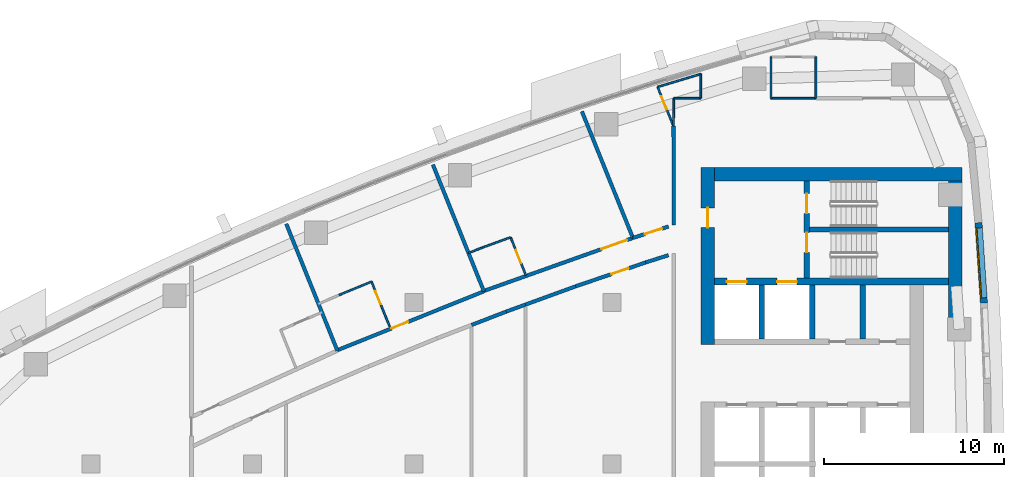
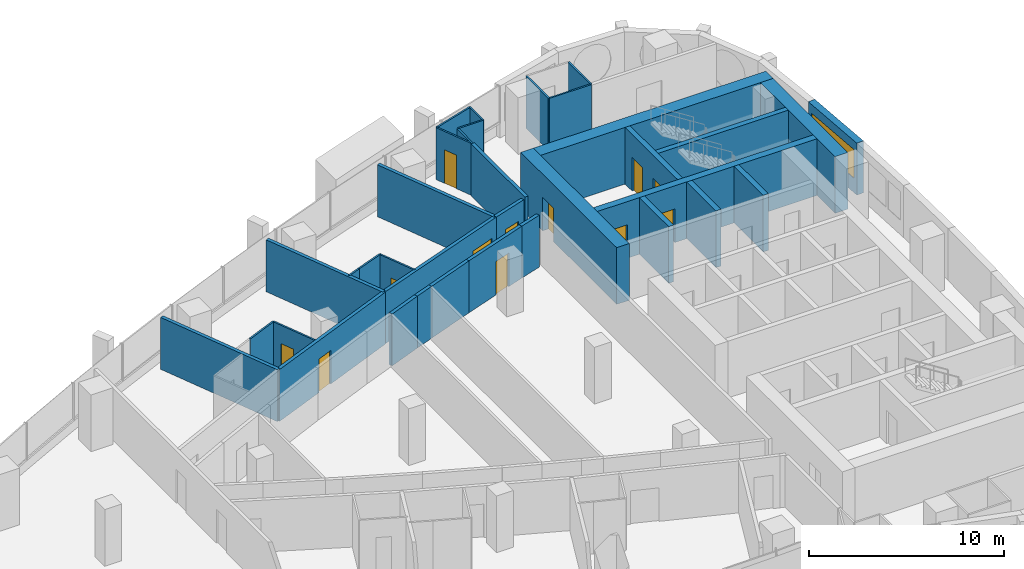
# One storey, part 12 of 17: 35 walls, 12 doors, 1 window, 13 openings.
"""IFC4 building model written with IfcOpenShell, lengths in metres."""

from ifc_helpers import new_model, si_unit, direction, frame, frame_2d, origin, place, context, subcontext, project, spatial, polyline, rectangle, outline, extrude, material, layer, layer_set, type_object, element, fill, save


model = new_model("IFC4")

# Units and contexts
model_context = context("Model", 3, precision=1e-05, world=origin(), true_north=direction((0.0, 1.0)))
body_context = subcontext(model_context, "Body", "Model", "MODEL_VIEW")
ifc_project = project(units=[si_unit("LENGTHUNIT", "METRE"), si_unit("AREAUNIT", "SQUARE_METRE"), si_unit("VOLUMEUNIT", "CUBIC_METRE"), si_unit("PLANEANGLEUNIT", "RADIAN"), si_unit("MASSUNIT", "GRAM", prefix="KILO")], contexts=[model_context])

# Site, building, storey
site_placement = place(None, origin())
site = spatial("IfcSite", under=ifc_project, at=site_placement, CompositionType="ELEMENT")
building_placement = place(site_placement, origin())
building = spatial("IfcBuilding", under=site, at=building_placement, Name="Ostrand Prow Hotel Tower", CompositionType="ELEMENT")
storey_placement = place(building_placement, frame((0.0, 0.0, 196.800048828125)))
storey = spatial("IfcBuildingStorey", under=building, at=storey_placement, Name="L49", CompositionType="ELEMENT", Elevation=196.800048828125)

# Walls
ifc_material_1 = material(Name="Concrete C60/75", Category="concrete")
ifc_layer_1 = layer(ifc_material_1, 0.300048828125)
ifc_layer_set_1 = layer_set([ifc_layer_1], Name="Concrete C60/75")
wall_type_1 = type_object("IfcWallType", Name="Core wall 300 C60/75", PredefinedType="SHEAR", material=ifc_layer_set_1)
for number, where, z_axis, x_axis, name in (
    (1, (53.35009765625, 6.949951171875, 0.0), (0.0, 0.0, 1.0), (0.0, 1.0, 0.0), "Core wall PW-R1-NA"),
    (2, (56.14990234375, 6.949951171875, 0.0), (0.0, 0.0, 1.0), (0.0, 1.0, 0.0), "Core wall PW-R2-NA"),
    (3, (58.949951171875, 6.949951171875, 0.0), (0.0, 0.0, 1.0), (0.0, 1.0, 0.0), "Core wall PW-R3-NA"),
):
    element("IfcWall", number, at=place(storey_placement, frame(where, z_axis=z_axis, x_axis=x_axis)), inside=storey, type_object=wall_type_1, Name=name, PredefinedType="SHEAR", context=body_context, shape_type="SweptSolid", body=[
        extrude(rectangle(XDim=3.0, YDim=0.300048828125, at=frame_2d((1.5, 0.0))), origin(), (0.0, 0.0, 1.0), 3.550048828125),
    ])

# Wall, openings, doors
wall_1_placement = place(storey_placement, frame((55.85009765625, 10.35009765625, 0.0), z_axis=(0.0, 0.0, 1.0), x_axis=(0.0, 1.0, 0.0)))
wall_1 = element("IfcWall", 4, at=wall_1_placement, inside=storey, type_object=wall_type_1, Name="Core wall PW-VN", PredefinedType="SHEAR", context=body_context, shape_type="SweptSolid", body=[
    extrude(rectangle(XDim=5.39990234375, YDim=0.300048828125, at=frame_2d((2.699951171875, 0.0))), origin(), (0.0, 0.0, 1.0), 3.550048828125),
])
opening_1_placement = place(wall_1_placement, frame((1.429931640625, 0.0, 0.0)))
opening_1 = element("IfcOpeningElement", 5, at=opening_1_placement, cuts=wall_1, Name="Opening FD1", PredefinedType="OPENING", context=body_context, shape_type="SweptSolid", body=[
    extrude(rectangle(XDim=1.10009765625, YDim=2.10009765625, at=frame_2d((0.550048828125, 1.050048828125))), frame((0.0, 0.159912109375, 0.0), z_axis=(0.0, -1.0, 0.0), x_axis=(1.0, 0.0, 0.0)), (0.0, 0.0, 1.0), 0.320068359375),
])
opening_2_placement = place(wall_1_placement, frame((3.60009765625, 0.0, 0.0)))
opening_2 = element("IfcOpeningElement", 6, at=opening_2_placement, cuts=wall_1, Name="Opening FD1", PredefinedType="OPENING", context=body_context, shape_type="SweptSolid", body=[
    extrude(rectangle(XDim=1.10009765625, YDim=2.10009765625, at=frame_2d((0.550048828125, 1.050048828125))), frame((0.0, 0.159912109375, 0.0), z_axis=(0.0, -1.0, 0.0), x_axis=(1.0, 0.0, 0.0)), (0.0, 0.0, 1.0), 0.320068359375),
])
ifc_material_2 = material(Name="Steel fire door", Category="steel")
door_type_1 = type_object("IfcDoorType", Name="Fire door 1100 EI120", OperationType="SINGLE_SWING_RIGHT", PredefinedType="DOOR", material=ifc_material_2)
door_1_placement = place(opening_1_placement, origin())
door_1 = element("IfcDoor", 7, at=door_1_placement, inside=storey, type_object=door_type_1, Name="FIRE DOOR", OperationType="SINGLE_SWING_RIGHT", OverallHeight=2.10009765625, OverallWidth=1.10009765625, PredefinedType="DOOR", context=body_context, shape_type="SweptSolid", body=[
    extrude(rectangle(XDim=1.10009765625, YDim=2.10009765625, at=frame_2d((0.550048828125, 1.050048828125))), frame((0.0, 0.02490234375, 0.0), z_axis=(0.0, -1.0, 0.0), x_axis=(1.0, 0.0, 0.0)), (0.0, 0.0, 1.0), 0.050048828125),
])
fill(opening_1, door_1)
door_2_placement = place(opening_2_placement, origin())
door_2 = element("IfcDoor", 8, at=door_2_placement, inside=storey, type_object=door_type_1, Name="FIRE DOOR", OperationType="SINGLE_SWING_RIGHT", OverallHeight=2.10009765625, OverallWidth=1.10009765625, PredefinedType="DOOR", context=body_context, shape_type="SweptSolid", body=[
    extrude(rectangle(XDim=1.10009765625, YDim=2.10009765625, at=frame_2d((0.550048828125, 1.050048828125))), frame((0.0, 0.02490234375, 0.0), z_axis=(0.0, -1.0, 0.0), x_axis=(1.0, 0.0, 0.0)), (0.0, 0.0, 1.0), 0.050048828125),
])
fill(opening_2, door_2)

# Wall
wall_2_placement = place(storey_placement, frame((56.0, 13.050048828125, 0.0), z_axis=(0.0, 0.0, 1.0), x_axis=(1.0, 0.0, 0.0)))
element("IfcWall", 9, at=wall_2_placement, inside=storey, type_object=wall_type_1, Name="Core wall PW-ST13", PredefinedType="SHEAR", context=body_context, shape_type="SweptSolid", body=[
    extrude(rectangle(XDim=7.719970703125, YDim=0.300048828125, at=frame_2d((3.85986328125, 0.0))), origin(), (0.0, 0.0, 1.0), 3.550048828125),
])

# Wall, openings, doors
ifc_material_3 = material(Name="Concrete C60/75", Category="concrete")
ifc_layer_2 = layer(ifc_material_3, 0.39990234375)
ifc_layer_set_2 = layer_set([ifc_layer_2], Name="Concrete C60/75")
wall_type_2 = type_object("IfcWallType", Name="Core wall 400 C60/75", PredefinedType="SHEAR", material=ifc_layer_set_2)
wall_3_placement = place(storey_placement, frame((50.699951171875, 10.14990234375, 0.0), z_axis=(0.0, 0.0, 1.0), x_axis=(1.0, 0.0, 0.0)))
wall_3 = element("IfcWall", 10, at=wall_3_placement, inside=storey, type_object=wall_type_2, Name="Core wall PW-BN", PredefinedType="SHEAR", context=body_context, shape_type="SweptSolid", body=[
    extrude(rectangle(XDim=13.02001953125, YDim=0.39990234375, at=frame_2d((6.510009765625, 0.0))), origin(), (0.0, 0.0, 1.0), 3.550048828125),
])
opening_3_placement = place(wall_3_placement, frame((0.699951171875, 0.0, 0.0)))
opening_3 = element("IfcOpeningElement", 11, at=opening_3_placement, cuts=wall_3, Name="Opening LD", PredefinedType="OPENING", context=body_context, shape_type="SweptSolid", body=[
    extrude(rectangle(XDim=1.10009765625, YDim=2.10009765625, at=frame_2d((0.550048828125, 1.050048828125))), frame((0.0, 0.2099609375, 0.0), z_axis=(0.0, -1.0, 0.0), x_axis=(1.0, 0.0, 0.0)), (0.0, 0.0, 1.0), 0.419921875),
])
opening_4_placement = place(wall_3_placement, frame((3.5, 0.0, 0.0)))
opening_4 = element("IfcOpeningElement", 12, at=opening_4_placement, cuts=wall_3, Name="Opening LD", PredefinedType="OPENING", context=body_context, shape_type="SweptSolid", body=[
    extrude(rectangle(XDim=1.10009765625, YDim=2.10009765625, at=frame_2d((0.550048828125, 1.050048828125))), frame((0.0, 0.2099609375, 0.0), z_axis=(0.0, -1.0, 0.0), x_axis=(1.0, 0.0, 0.0)), (0.0, 0.0, 1.0), 0.419921875),
])
ifc_material_4 = material(Name="Stainless steel door", Category="steel")
door_type_2 = type_object("IfcDoorType", Name="Lift landing door 1100", OperationType="DOUBLE_DOOR_SLIDING", PredefinedType="DOOR", material=ifc_material_4)
door_3_placement = place(opening_3_placement, origin())
door_3 = element("IfcDoor", 13, at=door_3_placement, inside=storey, type_object=door_type_2, Name="LIFT LANDING DOOR", OperationType="DOUBLE_DOOR_SLIDING", OverallHeight=2.10009765625, OverallWidth=1.10009765625, PredefinedType="DOOR", context=body_context, shape_type="SweptSolid", body=[
    extrude(rectangle(XDim=1.10009765625, YDim=2.10009765625, at=frame_2d((0.550048828125, 1.050048828125))), frame((0.0, 0.02490234375, 0.0), z_axis=(0.0, -1.0, 0.0), x_axis=(1.0, 0.0, 0.0)), (0.0, 0.0, 1.0), 0.050048828125),
])
fill(opening_3, door_3)
door_4_placement = place(opening_4_placement, origin())
door_4 = element("IfcDoor", 14, at=door_4_placement, inside=storey, type_object=door_type_2, Name="LIFT LANDING DOOR", OperationType="DOUBLE_DOOR_SLIDING", OverallHeight=2.10009765625, OverallWidth=1.10009765625, PredefinedType="DOOR", context=body_context, shape_type="SweptSolid", body=[
    extrude(rectangle(XDim=1.10009765625, YDim=2.10009765625, at=frame_2d((0.550048828125, 1.050048828125))), frame((0.0, 0.02490234375, 0.0), z_axis=(0.0, -1.0, 0.0), x_axis=(1.0, 0.0, 0.0)), (0.0, 0.0, 1.0), 0.050048828125),
])
fill(opening_4, door_4)

# Wall, opening, door
ifc_material_5 = material(Name="Concrete C60/75", Category="concrete")
ifc_layer_3 = layer(ifc_material_5, 0.75)
ifc_layer_set_3 = layer_set([ifc_layer_3], Name="Concrete C60/75")
wall_type_3 = type_object("IfcWallType", Name="Core wall 750 C60/75", PredefinedType="SHEAR", material=ifc_layer_set_3)
wall_4_placement = place(storey_placement, frame((50.324951171875, 6.64990234375, 0.0), z_axis=(0.0, 0.0, 1.0), x_axis=(0.0, 1.0, 0.0)))
wall_4 = element("IfcWall", 15, at=wall_4_placement, inside=storey, type_object=wall_type_3, Name="Core wall CW-W-N", PredefinedType="SHEAR", context=body_context, shape_type="SweptSolid", body=[
    extrude(rectangle(XDim=9.85009765625, YDim=0.75, at=frame_2d((4.925048828125, 0.0))), origin(), (0.0, 0.0, 1.0), 3.550048828125),
])
opening_5_placement = place(wall_4_placement, frame((6.5, 0.0, 0.0)))
opening_5 = element("IfcOpeningElement", 16, at=opening_5_placement, cuts=wall_4, Name="Opening FD1", PredefinedType="OPENING", context=body_context, shape_type="SweptSolid", body=[
    extrude(rectangle(XDim=1.10009765625, YDim=2.10009765625, at=frame_2d((0.550048828125, 1.050048828125))), frame((0.0, 0.385009765625, 0.0), z_axis=(0.0, -1.0, 0.0), x_axis=(1.0, 0.0, 0.0)), (0.0, 0.0, 1.0), 0.77001953125),
])
door_5_placement = place(opening_5_placement, origin())
door_5 = element("IfcDoor", 17, at=door_5_placement, inside=storey, type_object=door_type_1, Name="FIRE DOOR", OperationType="SINGLE_SWING_RIGHT", OverallHeight=2.10009765625, OverallWidth=1.10009765625, PredefinedType="DOOR", context=body_context, shape_type="SweptSolid", body=[
    extrude(rectangle(XDim=1.10009765625, YDim=2.10009765625, at=frame_2d((0.550048828125, 1.050048828125))), frame((0.0, 0.02490234375, 0.0), z_axis=(0.0, -1.0, 0.0), x_axis=(1.0, 0.0, 0.0)), (0.0, 0.0, 1.0), 0.050048828125),
])
fill(opening_5, door_5)

# Walls
wall_5_placement = place(storey_placement, frame((50.699951171875, 16.125, 0.0), z_axis=(0.0, 0.0, 1.0), x_axis=(1.0, 0.0, 0.0)))
element("IfcWall", 18, at=wall_5_placement, inside=storey, type_object=wall_type_3, Name="Core wall CW-N", PredefinedType="SHEAR", context=body_context, shape_type="SweptSolid", body=[
    extrude(rectangle(XDim=13.77001953125, YDim=0.75, at=frame_2d((6.885009765625, 0.0))), origin(), (0.0, 0.0, 1.0), 3.550048828125),
])
wall_6_placement = place(storey_placement, frame((64.094970703125, 8.09912109375, 0.0), z_axis=(0.0, 0.0, 1.0), x_axis=(0.0, 1.0, 0.0)))
element("IfcWall", 19, at=wall_6_placement, inside=storey, type_object=wall_type_3, Name="Core wall CW-E-N", PredefinedType="SHEAR", context=body_context, shape_type="SweptSolid", body=[
    extrude(rectangle(XDim=7.65087890625, YDim=0.75, at=frame_2d((3.825439453125, 0.0))), origin(), (0.0, 0.0, 1.0), 3.550048828125),
])
ifc_material_6 = material(Name="Plasterboard partition")
ifc_layer_4 = layer(ifc_material_6, 0.10009765625)
ifc_layer_set_4 = layer_set([ifc_layer_4], Name="Plasterboard partition")
wall_type_4 = type_object("IfcWallType", Name="Partition 100 bathroom wall", PredefinedType="PARTITIONING", material=ifc_layer_set_4)
for number, where, z_axis, x_axis, name in (
    (20, (56.35009765625, 22.64990234375, 0.0), (0.0, 0.0, 1.0), (0.0, -1.0, 0.0), "BATHROOM WALL"),
    (21, (53.85009765625, 20.35009765625, 0.0), (0.0, 0.0, 1.0), (0.0, 1.0, 0.0), "BATHROOM WALL"),
):
    element("IfcWall", number, at=place(storey_placement, frame(where, z_axis=z_axis, x_axis=x_axis)), inside=storey, type_object=wall_type_4, Name=name, PredefinedType="PARTITIONING", context=body_context, shape_type="SweptSolid", body=[
        extrude(rectangle(XDim=2.2998046875, YDim=0.10009765625, at=frame_2d((1.14990234375, 0.0))), origin(), (0.0, 0.0, 1.0), 3.25),
    ])
wall_7_placement = place(storey_placement, frame((29.794921875, 9.39404296875, 0.0), z_axis=(0.0, 0.0, 1.0), x_axis=(0.925208599746, 0.379458887043, 0.0)))
element("IfcWall", 22, at=wall_7_placement, inside=storey, type_object=wall_type_4, Name="BATHROOM WALL", PredefinedType="PARTITIONING", context=body_context, shape_type="SweptSolid", body=[
    extrude(rectangle(XDim=1.97900390625, YDim=0.10009765625, at=frame_2d((0.989501953125, 0.0))), origin(), (0.0, 0.0, 1.0), 3.25),
])

# Wall, opening, door
wall_8_placement = place(storey_placement, frame((31.6259765625, 10.14501953125, 0.0), z_axis=(0.0, 0.0, 1.0), x_axis=(0.373933172856, -0.927455649742, 0.0)))
wall_8 = element("IfcWall", 23, at=wall_8_placement, inside=storey, type_object=wall_type_4, Name="BATHROOM WALL", PredefinedType="PARTITIONING", context=body_context, shape_type="SweptSolid", body=[
    extrude(rectangle(XDim=2.697021484375, YDim=0.10009765625, at=frame_2d((1.3486328125, 0.0))), origin(), (0.0, 0.0, 1.0), 3.25),
])
opening_6_placement = place(wall_8_placement, frame((0.550048828125, 0.0, 0.0)))
opening_6 = element("IfcOpeningElement", 24, at=opening_6_placement, cuts=wall_8, Name="Opening D2", PredefinedType="OPENING", context=body_context, shape_type="SweptSolid", body=[
    extrude(rectangle(XDim=0.800048828125, YDim=2.10009765625, at=frame_2d((0.39990234375, 1.050048828125))), frame((0.0, 0.06005859375, 0.0), z_axis=(0.0, -1.0, 0.0), x_axis=(1.0, 0.0, 0.0)), (0.0, 0.0, 1.0), 0.1201171875),
])
ifc_material_7 = material(Name="Timber door leaf", Category="wood")
door_type_3 = type_object("IfcDoorType", Name="Bathroom door 800", OperationType="SINGLE_SWING_LEFT", PredefinedType="DOOR", material=ifc_material_7)
door_6_placement = place(opening_6_placement, origin())
door_6 = element("IfcDoor", 25, at=door_6_placement, inside=storey, type_object=door_type_3, Name="DOOR", OperationType="SINGLE_SWING_LEFT", OverallHeight=2.10009765625, OverallWidth=0.800048828125, PredefinedType="DOOR", context=body_context, shape_type="SweptSolid", body=[
    extrude(rectangle(XDim=0.800048828125, YDim=2.10009765625, at=frame_2d((0.39990234375, 1.050048828125))), frame((0.0, 0.02490234375, 0.0), z_axis=(0.0, -1.0, 0.0), x_axis=(1.0, 0.0, 0.0)), (0.0, 0.0, 1.0), 0.050048828125),
])
fill(opening_6, door_6)

# Walls
wall_9_placement = place(storey_placement, frame((37.019775390625, 11.7431640625, 0.0), z_axis=(0.0, 0.0, 1.0), x_axis=(0.9326493613, 0.360784102846, 0.0)))
element("IfcWall", 26, at=wall_9_placement, inside=storey, type_object=wall_type_4, Name="BATHROOM WALL", PredefinedType="PARTITIONING", context=body_context, shape_type="SweptSolid", body=[
    extrude(rectangle(XDim=0.8154296875, YDim=0.10009765625, at=frame_2d((0.40771484375, 0.0))), origin(), (0.0, 0.0, 1.0), 3.25),
])
wall_10_placement = place(storey_placement, frame((37.7802734375, 12.037353515625, 0.0), z_axis=(0.0, 0.0, 1.0), x_axis=(0.939759586286, 0.341836101053, 0.0)))
element("IfcWall", 27, at=wall_10_placement, inside=storey, type_object=wall_type_4, Name="BATHROOM WALL", PredefinedType="PARTITIONING", context=body_context, shape_type="SweptSolid", body=[
    extrude(rectangle(XDim=1.685546875, YDim=0.10009765625, at=frame_2d((0.8427734375, 0.0))), origin(), (0.0, 0.0, 1.0), 3.25),
])

# Wall, opening, door
wall_11_placement = place(storey_placement, frame((39.3642578125, 12.613525390625, 0.0), z_axis=(0.0, 0.0, 1.0), x_axis=(0.373883593317, -0.927475637765, 0.0)))
wall_11 = element("IfcWall", 28, at=wall_11_placement, inside=storey, type_object=wall_type_4, Name="BATHROOM WALL", PredefinedType="PARTITIONING", context=body_context, shape_type="SweptSolid", body=[
    extrude(rectangle(XDim=2.2783203125, YDim=0.10009765625, at=frame_2d((1.13916015625, 0.0))), origin(), (0.0, 0.0, 1.0), 3.25),
])
opening_7_placement = place(wall_11_placement, frame((0.75, 0.0, 0.0)))
opening_7 = element("IfcOpeningElement", 29, at=opening_7_placement, cuts=wall_11, Name="Opening D2", PredefinedType="OPENING", context=body_context, shape_type="SweptSolid", body=[
    extrude(rectangle(XDim=0.800048828125, YDim=2.10009765625, at=frame_2d((0.39990234375, 1.050048828125))), frame((0.0, 0.06005859375, 0.0), z_axis=(0.0, -1.0, 0.0), x_axis=(1.0, 0.0, 0.0)), (0.0, 0.0, 1.0), 0.1201171875),
])
door_7_placement = place(opening_7_placement, origin())
door_7 = element("IfcDoor", 30, at=door_7_placement, inside=storey, type_object=door_type_3, Name="DOOR", OperationType="SINGLE_SWING_LEFT", OverallHeight=2.10009765625, OverallWidth=0.800048828125, PredefinedType="DOOR", context=body_context, shape_type="SweptSolid", body=[
    extrude(rectangle(XDim=0.800048828125, YDim=2.10009765625, at=frame_2d((0.39990234375, 1.050048828125))), frame((0.0, 0.02490234375, 0.0), z_axis=(0.0, -1.0, 0.0), x_axis=(1.0, 0.0, 0.0)), (0.0, 0.0, 1.0), 0.050048828125),
])
fill(opening_7, door_7)

wall_12_placement = place(storey_placement, frame((48.409423828125, 18.84130859375, 0.0), z_axis=(0.0, 0.0, 1.0), x_axis=(-0.373908119057, 0.927465750582, 0.0)))
wall_12 = element("IfcWall", 31, at=wall_12_placement, inside=storey, type_object=wall_type_4, Name="BATHROOM WALL", PredefinedType="PARTITIONING", context=body_context, shape_type="SweptSolid", body=[
    extrude(rectangle(XDim=2.30615234375, YDim=0.10009765625, at=frame_2d((1.153076171875, 0.0))), origin(), (0.0, 0.0, 1.0), 3.25),
])
opening_8_placement = place(wall_12_placement, frame((0.949951171875, 0.0, 0.0)))
opening_8 = element("IfcOpeningElement", 32, at=opening_8_placement, cuts=wall_12, Name="Opening D2", PredefinedType="OPENING", context=body_context, shape_type="SweptSolid", body=[
    extrude(rectangle(XDim=0.800048828125, YDim=2.10009765625, at=frame_2d((0.39990234375, 1.050048828125))), frame((0.0, 0.06005859375, 0.0), z_axis=(0.0, -1.0, 0.0), x_axis=(1.0, 0.0, 0.0)), (0.0, 0.0, 1.0), 0.1201171875),
])
door_8_placement = place(opening_8_placement, origin())
door_8 = element("IfcDoor", 33, at=door_8_placement, inside=storey, type_object=door_type_3, Name="DOOR", OperationType="SINGLE_SWING_LEFT", OverallHeight=2.10009765625, OverallWidth=0.800048828125, PredefinedType="DOOR", context=body_context, shape_type="SweptSolid", body=[
    extrude(rectangle(XDim=0.800048828125, YDim=2.10009765625, at=frame_2d((0.39990234375, 1.050048828125))), frame((0.0, 0.02490234375, 0.0), z_axis=(0.0, -1.0, 0.0), x_axis=(1.0, 0.0, 0.0)), (0.0, 0.0, 1.0), 0.050048828125),
])
fill(opening_8, door_8)

# Walls
wall_13_placement = place(storey_placement, frame((56.35009765625, 20.35498046875, 0.0), z_axis=(0.0, 0.0, 1.0), x_axis=(-1.0, 0.0, 0.0)))
element("IfcWall", 34, at=wall_13_placement, inside=storey, type_object=wall_type_4, Name="BATHROOM WALL", PredefinedType="PARTITIONING", context=body_context, shape_type="SweptSolid", body=[
    extrude(rectangle(XDim=2.5, YDim=0.10009765625, at=frame_2d((1.25, 0.0))), origin(), (0.0, 0.0, 1.0), 3.25),
])
wall_14_placement = place(storey_placement, frame((49.949951171875, 21.706298828125, 0.0), z_axis=(0.0, 0.0, 1.0), x_axis=(0.0, -1.0, 0.0)))
element("IfcWall", 35, at=wall_14_placement, inside=storey, type_object=wall_type_4, Name="BATHROOM WALL", PredefinedType="PARTITIONING", context=body_context, shape_type="SweptSolid", body=[
    extrude(rectangle(XDim=1.351318359375, YDim=0.10009765625, at=frame_2d((0.67578125, 0.0))), origin(), (0.0, 0.0, 1.0), 3.25),
])
wall_15_placement = place(storey_placement, frame((49.949951171875, 20.35498046875, 0.0), z_axis=(0.0, 0.0, 1.0), x_axis=(-0.999998406651, -0.001785131852, 0.0)))
element("IfcWall", 36, at=wall_15_placement, inside=storey, type_object=wall_type_4, Name="BATHROOM WALL", PredefinedType="PARTITIONING", context=body_context, shape_type="SweptSolid", body=[
    extrude(rectangle(XDim=1.50439453125, YDim=0.10009765625, at=frame_2d((0.752197265625, 0.0))), origin(), (0.0, 0.0, 1.0), 3.25),
])
wall_16_placement = place(storey_placement, frame((48.445556640625, 20.352294921875, 0.0), z_axis=(0.0, 0.0, 1.0), x_axis=(-0.010805026288, -0.999941624, 0.0)))
element("IfcWall", 37, at=wall_16_placement, inside=storey, type_object=wall_type_4, Name="BATHROOM WALL", PredefinedType="PARTITIONING", context=body_context, shape_type="SweptSolid", body=[
    extrude(rectangle(XDim=1.536376953125, YDim=0.10009765625, at=frame_2d((0.76806640625, 0.0))), origin(), (0.0, 0.0, 1.0), 3.25),
])
wall_17_placement = place(storey_placement, frame((47.547119140625, 20.980224609375, 0.0), z_axis=(0.0, 0.0, 1.0), x_axis=(0.957251518155, 0.289256859885, 0.0)))
element("IfcWall", 38, at=wall_17_placement, inside=storey, type_object=wall_type_4, Name="BATHROOM WALL", PredefinedType="PARTITIONING", context=body_context, shape_type="SweptSolid", body=[
    extrude(rectangle(XDim=2.51025390625, YDim=0.10009765625, at=frame_2d((1.255126953125, 0.0))), origin(), (0.0, 0.0, 1.0), 3.25),
])

# Wall, opening, door
ifc_material_8 = material(Name="Plasterboard partition")
ifc_layer_5 = layer(ifc_material_8, 0.199951171875)
ifc_layer_set_5 = layer_set([ifc_layer_5], Name="Plasterboard partition")
wall_type_5 = type_object("IfcWallType", Name="Partition 200 corridor wall", PredefinedType="PARTITIONING", material=ifc_layer_set_5)
wall_18_placement = place(storey_placement, frame((29.714111328125, 6.32861328125, 0.0), z_axis=(0.0, 0.0, 1.0), x_axis=(0.927886226391, 0.372863448026, 0.0)))
wall_18 = element("IfcWall", 39, at=wall_18_placement, inside=storey, type_object=wall_type_5, Name="CORRIDOR WALL", PredefinedType="PARTITIONING", context=body_context, shape_type="SweptSolid", body=[
    extrude(rectangle(XDim=8.800048828125, YDim=0.199951171875, at=frame_2d((4.39990234375, 0.0))), origin(), (0.0, 0.0, 1.0), 3.25),
])
opening_9_placement = place(wall_18_placement, frame((3.25, 0.0, 0.0)))
opening_9 = element("IfcOpeningElement", 40, at=opening_9_placement, cuts=wall_18, Name="Opening D1R", PredefinedType="OPENING", context=body_context, shape_type="SweptSolid", body=[
    extrude(rectangle(XDim=1.0, YDim=2.10009765625, at=frame_2d((0.5, 1.050048828125))), frame((0.0, 0.10986328125, 0.0), z_axis=(0.0, -1.0, 0.0), x_axis=(1.0, 0.0, 0.0)), (0.0, 0.0, 1.0), 0.219970703125),
])
ifc_material_9 = material(Name="Timber door leaf", Category="wood")
door_type_4 = type_object("IfcDoorType", Name="Guest room door 1000 right", OperationType="SINGLE_SWING_RIGHT", PredefinedType="DOOR", material=ifc_material_9)
door_9_placement = place(opening_9_placement, origin())
door_9 = element("IfcDoor", 41, at=door_9_placement, inside=storey, type_object=door_type_4, Name="DOOR", OperationType="SINGLE_SWING_RIGHT", OverallHeight=2.10009765625, OverallWidth=1.0, PredefinedType="DOOR", context=body_context, shape_type="SweptSolid", body=[
    extrude(rectangle(XDim=1.0, YDim=2.10009765625, at=frame_2d((0.5, 1.050048828125))), frame((0.0, 0.02490234375, 0.0), z_axis=(0.0, -1.0, 0.0), x_axis=(1.0, 0.0, 0.0)), (0.0, 0.0, 1.0), 0.050048828125),
])
fill(opening_9, door_9)

wall_19_placement = place(storey_placement, frame((46.17041015625, 12.580078125, 0.0), z_axis=(0.0, 0.0, 1.0), x_axis=(-0.942170738702, -0.335133255786, 0.0)))
wall_19 = element("IfcWall", 42, at=wall_19_placement, inside=storey, type_object=wall_type_5, Name="CORRIDOR WALL", PredefinedType="PARTITIONING", context=body_context, shape_type="SweptSolid", body=[
    extrude(rectangle(XDim=8.807373046875, YDim=0.199951171875, at=frame_2d((4.40380859375, 0.0))), origin(), (0.0, 0.0, 1.0), 3.25),
])
opening_10_placement = place(wall_19_placement, frame((0.35009765625, 0.0, 0.0)))
opening_10 = element("IfcOpeningElement", 43, at=opening_10_placement, cuts=wall_19, Name="Opening D15", PredefinedType="OPENING", context=body_context, shape_type="SweptSolid", body=[
    extrude(rectangle(XDim=1.5, YDim=2.10009765625, at=frame_2d((0.75, 1.050048828125))), frame((0.0, 0.10986328125, 0.0), z_axis=(0.0, -1.0, 0.0), x_axis=(1.0, 0.0, 0.0)), (0.0, 0.0, 1.0), 0.219970703125),
])
ifc_material_10 = material(Name="Timber door leaf", Category="wood")
door_type_5 = type_object("IfcDoorType", Name="Double door 1500", OperationType="DOUBLE_DOOR_SINGLE_SWING", PredefinedType="DOOR", material=ifc_material_10)
door_10_placement = place(opening_10_placement, origin())
door_10 = element("IfcDoor", 44, at=door_10_placement, inside=storey, type_object=door_type_5, Name="DOOR", OperationType="DOUBLE_DOOR_SINGLE_SWING", OverallHeight=2.10009765625, OverallWidth=1.5, PredefinedType="DOOR", context=body_context, shape_type="SweptSolid", body=[
    extrude(rectangle(XDim=1.5, YDim=2.10009765625, at=frame_2d((0.75, 1.050048828125))), frame((0.0, 0.02490234375, 0.0), z_axis=(0.0, -1.0, 0.0), x_axis=(1.0, 0.0, 0.0)), (0.0, 0.0, 1.0), 0.050048828125),
])
fill(opening_10, door_10)

# Walls
wall_20_placement = place(storey_placement, frame((39.115478515625, 8.4794921875, 0.0), z_axis=(0.0, 0.0, 1.0), x_axis=(0.939731092615, 0.34191442434, 0.0)))
element("IfcWall", 45, at=wall_20_placement, inside=storey, type_object=wall_type_5, Name="CORRIDOR WALL", PredefinedType="PARTITIONING", context=body_context, shape_type="SweptSolid", body=[
    extrude(rectangle(XDim=1.143798828125, YDim=0.199951171875, at=frame_2d((0.57177734375, 0.0))), origin(), (0.0, 0.0, 1.0), 3.25),
])
wall_21_placement = place(storey_placement, frame((37.1904296875, 7.73486328125, 0.0), z_axis=(0.0, 0.0, 1.0), x_axis=(0.9326579855, 0.360761807961, 0.0)))
element("IfcWall", 46, at=wall_21_placement, inside=storey, type_object=wall_type_5, Name="CORRIDOR WALL", PredefinedType="PARTITIONING", context=body_context, shape_type="SweptSolid", body=[
    extrude(rectangle(XDim=2.06396484375, YDim=0.199951171875, at=frame_2d((1.031982421875, 0.0))), origin(), (0.0, 0.0, 1.0), 3.25),
])

# Wall, opening, door
wall_22_placement = place(storey_placement, frame((42.984375, 9.88720703125, 0.0), z_axis=(0.0, 0.0, 1.0), x_axis=(0.946436071896, 0.322891253852, 0.0)))
wall_22 = element("IfcWall", 47, at=wall_22_placement, inside=storey, type_object=wall_type_5, Name="CORRIDOR WALL", PredefinedType="PARTITIONING", context=body_context, shape_type="SweptSolid", body=[
    extrude(rectangle(XDim=4.116943359375, YDim=0.199951171875, at=frame_2d((2.05859375, 0.0))), origin(), (0.0, 0.0, 1.0), 3.25),
])
opening_11_placement = place(wall_22_placement, frame((2.10009765625, 0.0, 0.0)))
opening_11 = element("IfcOpeningElement", 48, at=opening_11_placement, cuts=wall_22, Name="Opening D1R", PredefinedType="OPENING", context=body_context, shape_type="SweptSolid", body=[
    extrude(rectangle(XDim=1.0, YDim=2.10009765625, at=frame_2d((0.5, 1.050048828125))), frame((0.0, 0.10986328125, 0.0), z_axis=(0.0, -1.0, 0.0), x_axis=(1.0, 0.0, 0.0)), (0.0, 0.0, 1.0), 0.219970703125),
])
door_11_placement = place(opening_11_placement, origin())
door_11 = element("IfcDoor", 49, at=door_11_placement, inside=storey, type_object=door_type_4, Name="DOOR", OperationType="SINGLE_SWING_RIGHT", OverallHeight=2.10009765625, OverallWidth=1.0, PredefinedType="DOOR", context=body_context, shape_type="SweptSolid", body=[
    extrude(rectangle(XDim=1.0, YDim=2.10009765625, at=frame_2d((0.5, 1.050048828125))), frame((0.0, 0.02490234375, 0.0), z_axis=(0.0, -1.0, 0.0), x_axis=(1.0, 0.0, 0.0)), (0.0, 0.0, 1.0), 0.050048828125),
])
fill(opening_11, door_11)

# Wall
wall_23_placement = place(storey_placement, frame((40.1904296875, 8.87060546875, 0.0), z_axis=(0.0, 0.0, 1.0), x_axis=(0.939726274687, 0.341927665833, 0.0)))
element("IfcWall", 50, at=wall_23_placement, inside=storey, type_object=wall_type_5, Name="CORRIDOR WALL", PredefinedType="PARTITIONING", context=body_context, shape_type="SweptSolid", body=[
    extrude(rectangle(XDim=2.97314453125, YDim=0.199951171875, at=frame_2d((1.486572265625, 0.0))), origin(), (0.0, 0.0, 1.0), 3.25),
])

# Wall, opening, door
wall_24_placement = place(storey_placement, frame((48.14990234375, 13.2158203125, 0.0), z_axis=(0.0, 0.0, 1.0), x_axis=(-0.952101841283, -0.305781104428, 0.0)))
wall_24 = element("IfcWall", 51, at=wall_24_placement, inside=storey, type_object=wall_type_5, Name="CORRIDOR WALL", PredefinedType="PARTITIONING", context=body_context, shape_type="SweptSolid", body=[
    extrude(rectangle(XDim=2.0791015625, YDim=0.199951171875, at=frame_2d((1.03955078125, 0.0))), origin(), (0.0, 0.0, 1.0), 3.25),
])
opening_12_placement = place(wall_24_placement, frame((0.385009765625, 0.0, 0.0)))
opening_12 = element("IfcOpeningElement", 52, at=opening_12_placement, cuts=wall_24, Name="Opening D1R", PredefinedType="OPENING", context=body_context, shape_type="SweptSolid", body=[
    extrude(rectangle(XDim=1.0, YDim=2.10009765625, at=frame_2d((0.5, 1.050048828125))), frame((0.0, 0.10986328125, 0.0), z_axis=(0.0, -1.0, 0.0), x_axis=(1.0, 0.0, 0.0)), (0.0, 0.0, 1.0), 0.219970703125),
])
door_12_placement = place(opening_12_placement, origin())
door_12 = element("IfcDoor", 53, at=door_12_placement, inside=storey, type_object=door_type_4, Name="DOOR", OperationType="SINGLE_SWING_RIGHT", OverallHeight=2.10009765625, OverallWidth=1.0, PredefinedType="DOOR", context=body_context, shape_type="SweptSolid", body=[
    extrude(rectangle(XDim=1.0, YDim=2.10009765625, at=frame_2d((0.5, 1.050048828125))), frame((0.0, 0.02490234375, 0.0), z_axis=(0.0, -1.0, 0.0), x_axis=(1.0, 0.0, 0.0)), (0.0, 0.0, 1.0), 0.050048828125),
])
fill(opening_12, door_12)

# Walls
wall_25_placement = place(storey_placement, frame((46.880859375, 11.216552734375, 0.0), z_axis=(0.0, 0.0, 1.0), x_axis=(0.952761948983, 0.303718074157, 0.0)))
element("IfcWall", 54, at=wall_25_placement, inside=storey, type_object=wall_type_5, Name="CORRIDOR WALL", PredefinedType="PARTITIONING", context=body_context, shape_type="SweptSolid", body=[
    extrude(rectangle(XDim=1.33203125, YDim=0.199951171875, at=frame_2d((0.666015625, 0.0))), origin(), (0.0, 0.0, 1.0), 3.25),
])
wall_26_placement = place(storey_placement, frame((48.428955078125, 18.81591796875, 0.0), z_axis=(0.0, 0.0, 1.0), x_axis=(0.002918533604, -0.999995741072, 0.0)))
element("IfcWall", 55, at=wall_26_placement, inside=storey, type_object=wall_type_5, Name="CORRIDOR WALL", PredefinedType="PARTITIONING", context=body_context, shape_type="SweptSolid", body=[
    extrude(rectangle(XDim=5.52099609375, YDim=0.199951171875, at=frame_2d((2.760498046875, 0.0))), origin(), (0.0, 0.0, 1.0), 3.25),
])
ifc_material_11 = material(Name="Plasterboard partition")
ifc_layer_6 = layer(ifc_material_11, 0.199951171875)
ifc_layer_set_6 = layer_set([ifc_layer_6], Name="Plasterboard partition")
wall_type_6 = type_object("IfcWallType", Name="Partition 200 key partition", PredefinedType="PARTITIONING", material=ifc_layer_set_6)
wall_27_placement = place(storey_placement, frame((29.7216796875, 6.31005859375, 0.0), z_axis=(0.0, 0.0, 1.0), x_axis=(-0.37388636046, 0.927474522271, 0.0)))
element("IfcWall", 56, at=wall_27_placement, inside=storey, type_object=wall_type_6, Name="KEY PARTITION", PredefinedType="PARTITIONING", context=body_context, shape_type="SweptSolid", body=[
    extrude(rectangle(XDim=7.6025390625, YDim=0.199951171875, at=frame_2d((3.80126953125, 0.0))), origin(), (0.0, 0.0, 1.0), 3.25),
])
wall_28_placement = place(storey_placement, frame((37.879638671875, 9.60986328125, 0.0), z_axis=(0.0, 0.0, 1.0), x_axis=(-0.373892577014, 0.927472016211, 0.0)))
element("IfcWall", 57, at=wall_28_placement, inside=storey, type_object=wall_type_6, Name="KEY PARTITION", PredefinedType="PARTITIONING", context=body_context, shape_type="SweptSolid", body=[
    extrude(rectangle(XDim=7.6005859375, YDim=0.199951171875, at=frame_2d((3.80029296875, 0.0))), origin(), (0.0, 0.0, 1.0), 3.25),
])
wall_29_placement = place(storey_placement, frame((46.177978515625, 12.5615234375, 0.0), z_axis=(0.0, 0.0, 1.0), x_axis=(-0.373905590149, 0.927466770108, 0.0)))
element("IfcWall", 58, at=wall_29_placement, inside=storey, type_object=wall_type_6, Name="KEY PARTITION", PredefinedType="PARTITIONING", context=body_context, shape_type="SweptSolid", body=[
    extrude(rectangle(XDim=7.611328125, YDim=0.199951171875, at=frame_2d((3.8056640625, 0.0))), origin(), (0.0, 0.0, 1.0), 3.25),
])

# Wall, opening, window
ifc_material_12 = material(Name="Precast concrete C40/50", Category="concrete")
ifc_layer_7 = layer(ifc_material_12, 0.39990234375)
ifc_layer_set_7 = layer_set([ifc_layer_7], Name="Precast concrete C40/50")
wall_type_7 = type_object("IfcWallType", Name="Stone-faced precast wall 400 mm", PredefinedType="NOTDEFINED", material=ifc_layer_set_7)
wall_30_placement = place(storey_placement, frame((65.700439453125, 8.957763671875, 0.0), z_axis=(0.0, 0.0, 1.0), x_axis=(-0.066905935948, 0.997759287471, 0.0)))
wall_30 = element("IfcWall", 59, at=wall_30_placement, inside=storey, type_object=wall_type_7, Name="Stone-faced wall back 11", PredefinedType="NOTDEFINED", context=body_context, shape_type="SweptSolid", body=[
    extrude(outline(polyline([(-0.002685546875, -0.199951171875), (4.483642578125, -0.199951171875), (4.478271484375, 0.199951171875), (0.002685546875, 0.199951171875), (-0.002685546875, -0.199951171875)])), origin(), (0.0, 0.0, 1.0), 3.25),
])
opening_13_placement = place(wall_30_placement, frame((0.290283203125, 0.0, 0.89990234375)))
opening_13 = element("IfcOpeningElement", 60, at=opening_13_placement, cuts=wall_30, Name="Opening WS3-39", PredefinedType="OPENING", context=body_context, shape_type="SweptSolid", body=[
    extrude(rectangle(XDim=3.89990234375, YDim=1.800048828125, at=frame_2d((1.949951171875, 0.89990234375))), frame((0.0, 0.2099609375, 0.0), z_axis=(0.0, -1.0, 0.0), x_axis=(1.0, 0.0, 0.0)), (0.0, 0.0, 1.0), 0.419921875),
])
ifc_material_13 = material(Name="Insulated glass in bronze frame", Category="glass")
window_type = type_object("IfcWindowType", Name="Strip window 3900x1800", PartitioningType="SINGLE_PANEL", PredefinedType="WINDOW", material=ifc_material_13)
window_placement = place(opening_13_placement, origin())
window = element("IfcWindow", 61, at=window_placement, inside=storey, type_object=window_type, Name="Window back 11.1", OverallHeight=1.800048828125, OverallWidth=3.89990234375, PartitioningType="SINGLE_PANEL", PredefinedType="WINDOW", context=body_context, shape_type="SweptSolid", body=[
    extrude(rectangle(XDim=3.89990234375, YDim=1.800048828125, at=frame_2d((1.949951171875, 0.89990234375))), frame((0.0, 0.169921875, 0.0), z_axis=(0.0, -1.0, 0.0), x_axis=(1.0, 0.0, 0.0)), (0.0, 0.0, 1.0), 0.06005859375),
])
fill(opening_13, window)

save(model, "model.ifc")
